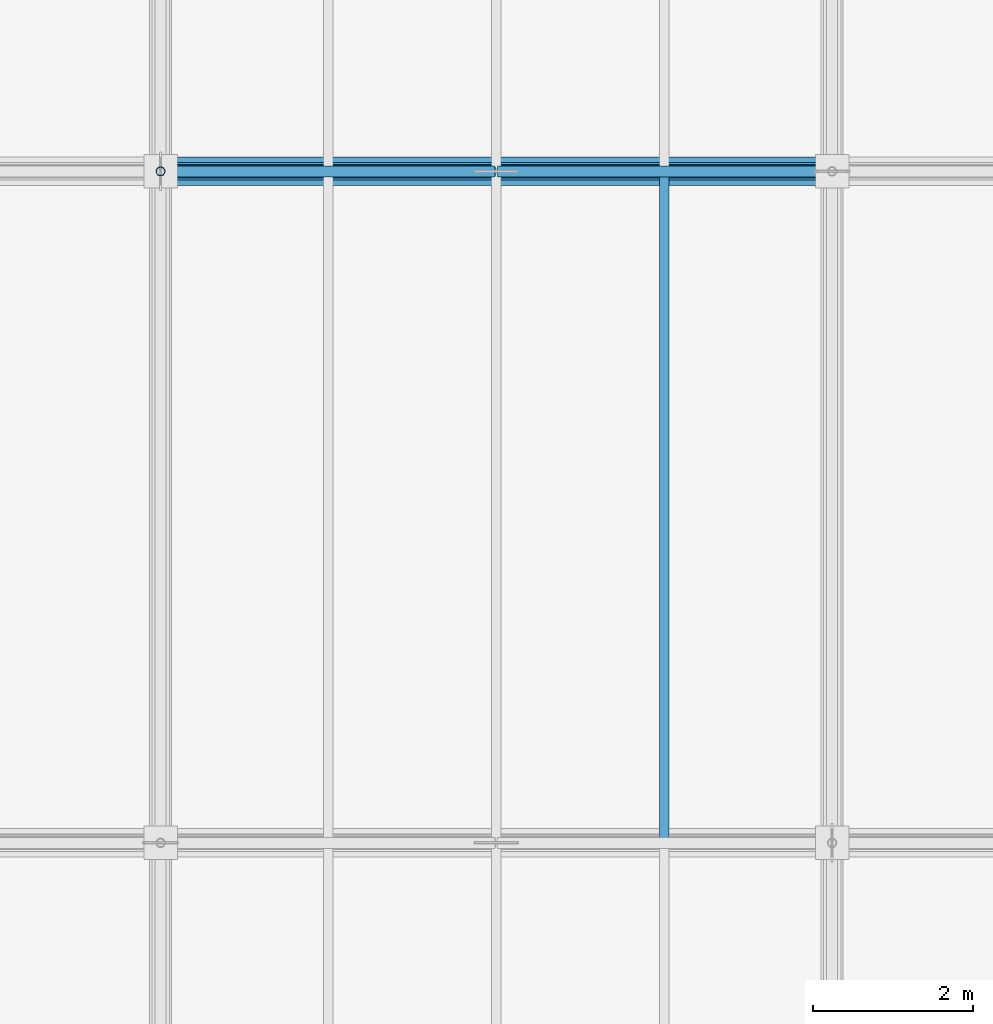
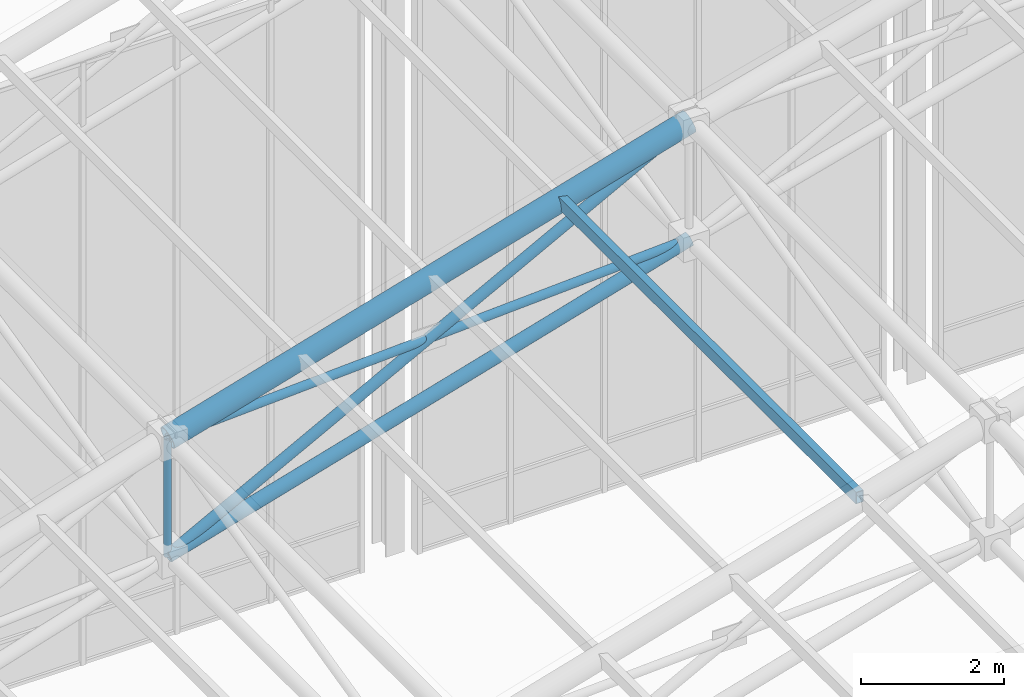
# One storey, part 44 of 144: 7 members.
"""IFC4 building model written with IfcOpenShell, lengths in metres."""

from ifc_helpers import new_model, si_unit, direction, frame, origin, origin_2d, place, context, subcontext, project, spatial, hollow_rectangle, hollow_circle, extrude, material, material_profile, profile_set, type_object, element, save


model = new_model("IFC4")

# Units and contexts
model_context = context("Model", 3, precision=1e-05, world=origin(), true_north=direction((0.0, 1.0)))
body_context = subcontext(model_context, "Body", "Model", "MODEL_VIEW")
ifc_project = project(units=[si_unit("LENGTHUNIT", "METRE"), si_unit("AREAUNIT", "SQUARE_METRE"), si_unit("VOLUMEUNIT", "CUBIC_METRE"), si_unit("PLANEANGLEUNIT", "RADIAN"), si_unit("MASSUNIT", "GRAM", prefix="KILO")], contexts=[model_context])

# Site, building, storey
site_placement = place(None, origin())
site = spatial("IfcSite", under=ifc_project, at=site_placement, CompositionType="ELEMENT")
building_placement = place(site_placement, origin())
building = spatial("IfcBuilding", under=site, at=building_placement, Name="Zayran Congress Hotel", CompositionType="ELEMENT")
storey_placement = place(building_placement, frame((0.0, 0.0, 19.199951171875)))
storey = spatial("IfcBuildingStorey", under=building, at=storey_placement, Name="L04", CompositionType="ELEMENT", Elevation=19.199951171875)

# Members
ifc_material = material(Name="Steel S355", Category="steel")
ifc_material_profile_1 = material_profile(ifc_material, hollow_circle(Radius=0.177734375, WallThickness=0.01611328125, at=origin_2d()), Name="CHS 355.6x16")
ifc_profile_set_1 = profile_set([ifc_material_profile_1], Name="Steel S355")
member_type_1 = type_object("IfcMemberType", Name="TP-SF-TC1", PredefinedType="CHORD", material=ifc_profile_set_1)
member_1_placement = place(storey_placement, frame((33.60009765625, 101.199951171875, 9.902099609375), z_axis=(0.960000625005, 0.0, 0.279997857116), x_axis=(0.0, 1.0, 0.0)))
element("IfcMember", 1, at=member_1_placement, inside=storey, type_object=member_type_1, Name="Space Frame Top Chord X 198", PredefinedType="CHORD", context=body_context, shape_type="SweptSolid", body=[
    extrude(hollow_circle(Radius=0.177734375, WallThickness=0.01611328125, at=origin_2d()), origin(), (0.0, 0.0, 1.0), 8.75),
])
ifc_material_profile_2 = material_profile(ifc_material, hollow_circle(Radius=0.109619140625, WallThickness=0.010009765625, at=origin_2d()), Name="CHS 219.1x10")
ifc_profile_set_2 = profile_set([ifc_material_profile_2], Name="Steel S355")
member_type_2 = type_object("IfcMemberType", Name="TP-SF-BC1", PredefinedType="CHORD", material=ifc_profile_set_2)
member_2_placement = place(storey_placement, frame((33.60009765625, 101.199951171875, 7.900146484375), z_axis=(0.960000625005, 0.0, 0.279997857116), x_axis=(0.0, 1.0, 0.0)))
element("IfcMember", 2, at=member_2_placement, inside=storey, type_object=member_type_2, Name="Space Frame Bottom Chord X 199", PredefinedType="CHORD", context=body_context, shape_type="SweptSolid", body=[
    extrude(hollow_circle(Radius=0.109619140625, WallThickness=0.010009765625, at=origin_2d()), origin(), (0.0, 0.0, 1.0), 8.75),
])
ifc_material_profile_3 = material_profile(ifc_material, hollow_circle(Radius=0.084228515625, WallThickness=0.008056640625, at=origin_2d()), Name="CHS 168.3x8")
ifc_profile_set_3 = profile_set([ifc_material_profile_3], Name="Steel S355")
member_type_3 = type_object("IfcMemberType", Name="TP-SF-DG1", PredefinedType="BRACE", material=ifc_profile_set_3)
member_3_placement = place(storey_placement, frame((33.60009765625, 101.199951171875, 7.900146484375), z_axis=(0.883574812642, 0.0, 0.46829002815), x_axis=(0.0, 1.0, 0.0)))
element("IfcMember", 3, at=member_3_placement, inside=storey, type_object=member_type_3, Name="Space Frame Web Diagonal X 200", PredefinedType="BRACE", context=body_context, shape_type="SweptSolid", body=[
    extrude(hollow_circle(Radius=0.084228515625, WallThickness=0.008056640625, at=origin_2d()), origin(), (0.0, 0.0, 1.0), 9.5068359375),
])
ifc_material_profile_4 = material_profile(ifc_material, hollow_circle(Radius=0.06982421875, WallThickness=0.00634765625, at=origin_2d()), Name="CHS 139.7x6.3")
ifc_profile_set_4 = profile_set([ifc_material_profile_4], Name="Steel S355")
member_type_4 = type_object("IfcMemberType", Name="TP-SF-DG2", PredefinedType="BRACE", material=ifc_profile_set_4)
member_4_placement = place(storey_placement, frame((33.60009765625, 101.199951171875, 9.902099609375), z_axis=(0.998581382954, 0.0, 0.053246799138), x_axis=(0.0, 1.0, 0.0)))
element("IfcMember", 4, at=member_4_placement, inside=storey, type_object=member_type_4, Name="Space Frame Counter Diagonal X Upper 201", PredefinedType="BRACE", context=body_context, shape_type="SweptSolid", body=[
    extrude(hollow_circle(Radius=0.06982421875, WallThickness=0.00634765625, at=origin_2d()), origin(), (0.0, 0.0, 1.0), 4.190673828125),
])
member_5_placement = place(storey_placement, frame((37.81494140625, 101.199951171875, 10.126953125), z_axis=(0.99858154811, 0.0, 0.053243701725), x_axis=(0.0, 1.0, 0.0)))
element("IfcMember", 5, at=member_5_placement, inside=storey, type_object=member_type_4, Name="Space Frame Counter Diagonal X Lower 32", PredefinedType="BRACE", context=body_context, shape_type="SweptSolid", body=[
    extrude(hollow_circle(Radius=0.06982421875, WallThickness=0.00634765625, at=origin_2d()), origin(), (0.0, 0.0, 1.0), 4.19091796875),
])
ifc_material_profile_5 = material_profile(ifc_material, hollow_circle(Radius=0.05712890625, WallThickness=0.00634765625, at=origin_2d()), Name="CHS 114.3x6.3")
ifc_profile_set_5 = profile_set([ifc_material_profile_5], Name="Steel S355")
member_type_5 = type_object("IfcMemberType", Name="TP-SF-DG3", PredefinedType="BRACE", material=ifc_profile_set_5)
member_6_placement = place(storey_placement, frame((33.60009765625, 101.199951171875, 7.900146484375), z_axis=(0.0, 0.0, 1.0), x_axis=(0.0, 1.0, 0.0)))
element("IfcMember", 6, at=member_6_placement, inside=storey, type_object=member_type_5, Name="Space Frame Web Strut 205", PredefinedType="BRACE", context=body_context, shape_type="SweptSolid", body=[
    extrude(hollow_circle(Radius=0.05712890625, WallThickness=0.00634765625, at=origin_2d()), origin(), (0.0, 0.0, 1.0), 2.001953125),
])
ifc_material_profile_6 = material_profile(ifc_material, hollow_rectangle(XDim=0.1201171875, YDim=0.199951171875, WallThickness=0.008056640625, at=origin_2d()), Name="RHS 200x120x8")
ifc_profile_set_6 = profile_set([ifc_material_profile_6], Name="Steel S355")
member_type_6 = type_object("IfcMemberType", Name="TP-PR-01", PredefinedType="PURLIN", material=ifc_profile_set_6)
member_7_placement = place(storey_placement, frame((39.89990234375, 92.800048828125, 11.781494140625), z_axis=(0.0, 1.0, 0.0), x_axis=(-1.0, 0.0, 0.0)))
element("IfcMember", 7, at=member_7_placement, inside=storey, type_object=member_type_6, Name="MEM-PR-V1-0070", PredefinedType="PURLIN", context=body_context, shape_type="SweptSolid", body=[
    extrude(hollow_rectangle(XDim=0.1201171875, YDim=0.199951171875, WallThickness=0.008056640625, at=origin_2d()), origin(), (0.0, 0.0, 1.0), 8.39990234375),
])

save(model, "model.ifc")
